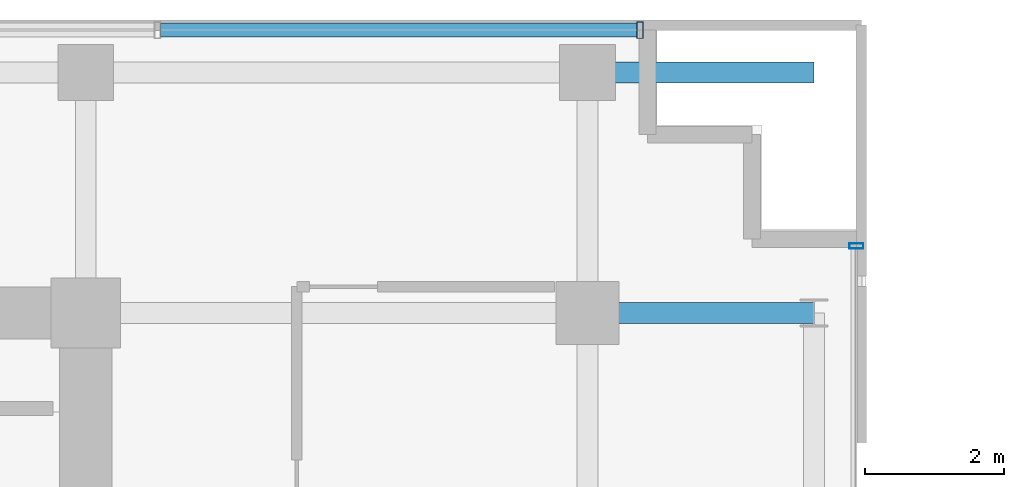
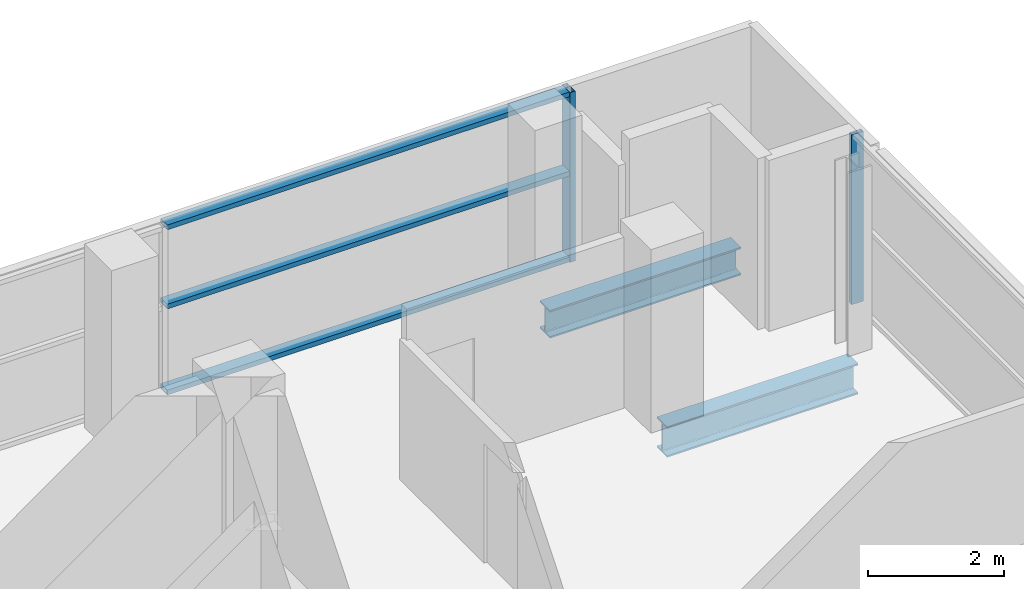
# One storey, part 17 of 25: 5 members, 2 beams, 2 elements without a shape of their own.
"""IFC4 building model written with IfcOpenShell, lengths in metres."""

from ifc_helpers import new_model, si_unit, direction, frame, origin, origin_2d, place, context, subcontext, project, spatial, hollow_rectangle, i_section, extrude, source, transform, mapped, material, layer, layer_set, material_profile, profile_set, type_object, element, aggregate, save


model = new_model("IFC4")

# Units and contexts
model_context = context("Model", 3, precision=1e-05, world=origin(), true_north=direction((0.0, 1.0)))
body_context = subcontext(model_context, "Body", "Model", "MODEL_VIEW")
ifc_project = project(units=[si_unit("LENGTHUNIT", "METRE"), si_unit("AREAUNIT", "SQUARE_METRE"), si_unit("VOLUMEUNIT", "CUBIC_METRE"), si_unit("PLANEANGLEUNIT", "RADIAN"), si_unit("MASSUNIT", "GRAM", prefix="KILO")], contexts=[model_context])

# Site, building, storey
site_placement = place(None, origin())
site = spatial("IfcSite", under=ifc_project, at=site_placement, CompositionType="ELEMENT")
building_placement = place(site_placement, origin())
building = spatial("IfcBuilding", under=site, at=building_placement, Name="Zarnakvel Exchange Tower", CompositionType="ELEMENT")
storey_placement = place(building_placement, frame((0.0, 0.0, 100.0)))
storey = spatial("IfcBuildingStorey", under=building, at=storey_placement, Name="L27", CompositionType="ELEMENT", Elevation=100.0)

# Beams
ifc_material_1 = material(Name="Steel S355", Category="steel")
ifc_material_profile_1 = material_profile(ifc_material_1, i_section(OverallWidth=0.300048828125, OverallDepth=0.550048828125, WebThickness=0.014892578125, FlangeThickness=0.029052734375, FilletRadius=0.027099609375, at=origin_2d()))
ifc_profile_set_1 = profile_set([ifc_material_profile_1], Name="Steel S355")
beam_type_1 = type_object("IfcBeamType", Name="G-05", PredefinedType="BEAM", material=ifc_profile_set_1)
beam_1_placement = place(storey_placement, frame((21.60009765625, 13.5, -0.5), z_axis=(1.0, 0.0, 0.0), x_axis=(0.0, 1.0, 0.0)))
element("IfcBeam", 1, at=beam_1_placement, inside=storey, type_object=beam_type_1, Name="L27 Tower E-W Frame Beam", PredefinedType="BEAM", context=body_context, shape_type="SweptSolid", body=[
    extrude(i_section(OverallWidth=0.300048828125, OverallDepth=0.550048828125, WebThickness=0.014892578125, FlangeThickness=0.029052734375, FilletRadius=0.027099609375, at=origin_2d()), origin(), (0.0, 0.0, 1.0), 3.25),
])
ifc_material_profile_2 = material_profile(ifc_material_1, i_section(OverallWidth=0.300048828125, OverallDepth=0.5, WebThickness=0.014404296875, FlangeThickness=0.028076171875, FilletRadius=0.027099609375, at=origin_2d()))
ifc_profile_set_2 = profile_set([ifc_material_profile_2], Name="Steel S355")
beam_type_2 = type_object("IfcBeamType", Name="SP-02", PredefinedType="SPANDREL", material=ifc_profile_set_2)
beam_2_placement = place(storey_placement, frame((21.60009765625, 16.949951171875, -0.47509765625), z_axis=(1.0, 0.0, 0.0), x_axis=(0.0, 1.0, 0.0)))
element("IfcBeam", 2, at=beam_2_placement, inside=storey, type_object=beam_type_2, Name="L27 North-East Corner Spandrel", PredefinedType="SPANDREL", context=body_context, shape_type="SweptSolid", body=[
    extrude(i_section(OverallWidth=0.300048828125, OverallDepth=0.5, WebThickness=0.014404296875, FlangeThickness=0.028076171875, FilletRadius=0.027099609375, at=origin_2d()), origin(), (0.0, 0.0, 1.0), 3.25),
])

# Curtain wall, member
ifc_material_2 = material(Name="Architectural Bronze Anodised Aluminium", Category="aluminium")
ifc_layer_1 = layer(ifc_material_2, 0.239990234375)
ifc_layer_set_1 = layer_set([ifc_layer_1], Name="Architectural Bronze Anodised Aluminium")
curtain_wall_type_1 = type_object("IfcCurtainWallType", Name="CW-02", PredefinedType="NOTDEFINED", material=ifc_layer_set_1)
curtain_wall_1_placement = place(storey_placement, origin())
curtain_wall_1 = element("IfcCurtainWall", 3, at=curtain_wall_1_placement, inside=storey, type_object=curtain_wall_type_1, Name="L27 Curtain Wall CW-L27-N1 (CW-02)", PredefinedType="NOTDEFINED")
ifc_material_profile_3 = material_profile(ifc_material_2, hollow_rectangle(XDim=0.239990234375, YDim=0.090087890625, WallThickness=0.006103515625, at=origin_2d()))
ifc_profile_set_3 = profile_set([ifc_material_profile_3], Name="Architectural Bronze Anodised Aluminium")
member_type_1 = type_object("IfcMemberType", Name="CWM-02", PredefinedType="MULLION", material=ifc_profile_set_3)
shared_shape_1 = source(origin(), body_context, "Body", "SweptSolid", [
    extrude(hollow_rectangle(XDim=0.239990234375, YDim=0.090087890625, WallThickness=0.006103515625, at=origin_2d()), origin(), (0.0, 0.0, 1.0), 3.054931640625),
])
member_1_placement = place(storey_placement, frame((22.35498046875, 17.56005859375, 0.0), z_axis=(0.0, 0.0, 1.0), x_axis=(0.0, 1.0, 0.0)))
member_1 = element("IfcMember", 4, at=member_1_placement, type_object=member_type_1, Name="CW-02 mullion 8", PredefinedType="MULLION", context=body_context, shape_type="MappedRepresentation", body=[
    mapped(shared_shape_1, transform((0.0, 0.0, 0.0), x_axis=(1.0, 0.0, 0.0), y_axis=(0.0, 1.0, 0.0), z_axis=(0.0, 0.0, 1.0), scale=1.0)),
])

ifc_layer_2 = layer(ifc_material_2, 0.199951171875)
ifc_layer_set_2 = layer_set([ifc_layer_2], Name="Architectural Bronze Anodised Aluminium")
curtain_wall_type_2 = type_object("IfcCurtainWallType", Name="CW-04", PredefinedType="NOTDEFINED", material=ifc_layer_set_2)
curtain_wall_2_placement = place(storey_placement, origin())
curtain_wall_2 = element("IfcCurtainWall", 5, at=curtain_wall_2_placement, inside=storey, type_object=curtain_wall_type_2, Name="L27 Curtain Wall CW-L27-EN (CW-04)", PredefinedType="NOTDEFINED")
ifc_material_profile_4 = material_profile(ifc_material_2, hollow_rectangle(XDim=0.199951171875, YDim=0.074951171875, WallThickness=0.0048828125, at=origin_2d()))
ifc_profile_set_4 = profile_set([ifc_material_profile_4], Name="Architectural Bronze Anodised Aluminium")
member_type_2 = type_object("IfcMemberType", Name="CWM-04", PredefinedType="MULLION", material=ifc_profile_set_4)
shared_shape_2 = source(origin(), body_context, "Body", "SweptSolid", [
    extrude(hollow_rectangle(XDim=0.199951171875, YDim=0.074951171875, WallThickness=0.0048828125, at=origin_2d()), origin(), (0.0, 0.0, 1.0), 3.054931640625),
])
member_2_placement = place(storey_placement, frame((25.4599609375, 14.46240234375, 0.0), z_axis=(0.0, 0.0, 1.0), x_axis=(-1.0, 0.0, 0.0)))
member_2 = element("IfcMember", 6, at=member_2_placement, type_object=member_type_2, Name="CW-04 mullion 3", PredefinedType="MULLION", context=body_context, shape_type="MappedRepresentation", body=[
    mapped(shared_shape_2, transform((0.0, 0.0, 0.0), x_axis=(1.0, 0.0, 0.0), y_axis=(0.0, 1.0, 0.0), z_axis=(0.0, 0.0, 1.0), scale=1.0)),
])
aggregate(curtain_wall_2, [member_2])

# Member
ifc_material_profile_5 = material_profile(ifc_material_2, hollow_rectangle(XDim=0.199951171875, YDim=0.0849609375, WallThickness=0.0048828125, at=origin_2d()))
ifc_profile_set_5 = profile_set([ifc_material_profile_5], Name="Architectural Bronze Anodised Aluminium")
member_type_3 = type_object("IfcMemberType", Name="CWT-02", PredefinedType="USERDEFINED", material=ifc_profile_set_5)
shared_shape_3 = source(origin(), body_context, "Body", "SweptSolid", [
    extrude(hollow_rectangle(XDim=0.199951171875, YDim=0.0849609375, WallThickness=0.0048828125, at=origin_2d()), origin(), (0.0, 0.0, 1.0), 6.83642578125),
])
member_3_placement = place(storey_placement, frame((15.4736328125, 17.56005859375, 0.04248046875), z_axis=(1.0, 0.0, 0.0), x_axis=(0.0, 1.0, 0.0)))
member_3 = element("IfcMember", 7, at=member_3_placement, type_object=member_type_3, Name="CW-02 transom 7.1", ObjectType="TRANSOM", PredefinedType="USERDEFINED", context=body_context, shape_type="MappedRepresentation", body=[
    mapped(shared_shape_3, transform((0.0, 0.0, 0.0), x_axis=(1.0, 0.0, 0.0), y_axis=(0.0, 1.0, 0.0), z_axis=(0.0, 0.0, 1.0), scale=1.0)),
])

member_4_placement = place(storey_placement, frame((15.4736328125, 17.56005859375, 1.588623046875), z_axis=(1.0, 0.0, 0.0), x_axis=(0.0, 1.0, 0.0)))
member_4 = element("IfcMember", 8, at=member_4_placement, type_object=member_type_3, Name="CW-02 transom 7.2", ObjectType="TRANSOM", PredefinedType="USERDEFINED", context=body_context, shape_type="MappedRepresentation", body=[
    mapped(shared_shape_3, transform((0.0, 0.0, 0.0), x_axis=(1.0, 0.0, 0.0), y_axis=(0.0, 1.0, 0.0), z_axis=(0.0, 0.0, 1.0), scale=1.0)),
])

member_5_placement = place(storey_placement, frame((15.4736328125, 17.56005859375, 3.012451171875), z_axis=(1.0, 0.0, 0.0), x_axis=(0.0, 1.0, 0.0)))
member_5 = element("IfcMember", 9, at=member_5_placement, type_object=member_type_3, Name="CW-02 transom 7.3", ObjectType="TRANSOM", PredefinedType="USERDEFINED", context=body_context, shape_type="MappedRepresentation", body=[
    mapped(shared_shape_3, transform((0.0, 0.0, 0.0), x_axis=(1.0, 0.0, 0.0), y_axis=(0.0, 1.0, 0.0), z_axis=(0.0, 0.0, 1.0), scale=1.0)),
])

aggregate(curtain_wall_1, [member_1, member_3, member_4, member_5])

save(model, "model.ifc")
